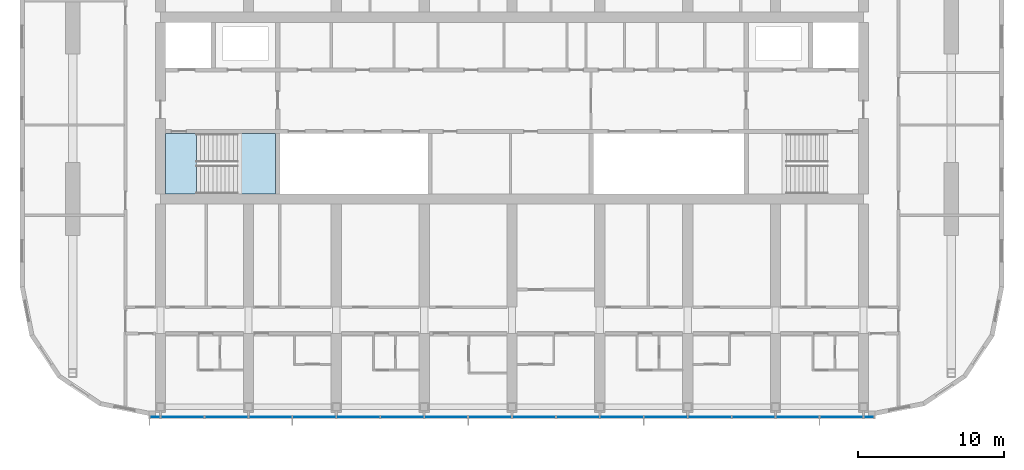
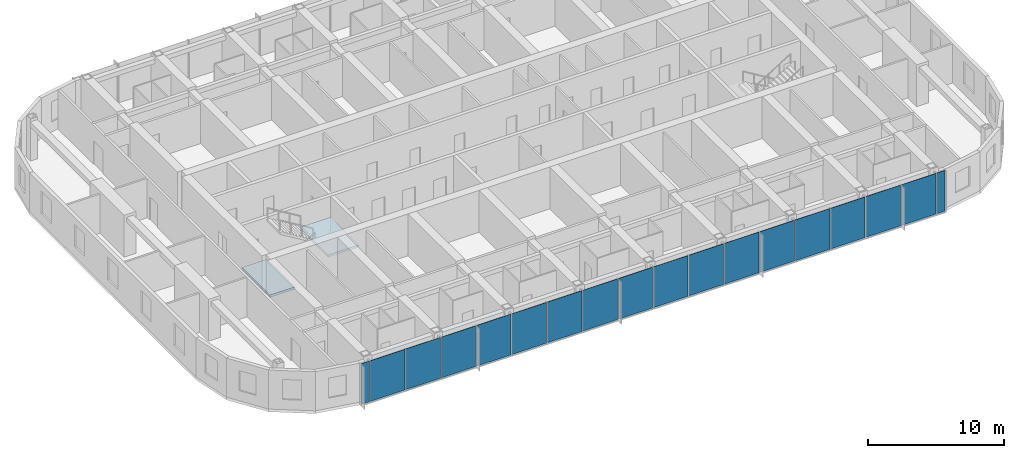
# One storey, part 7 of 23: 18 plates, 2 slabs, 2 elements without a shape of their own.
"""IFC4 building model written with IfcOpenShell, lengths in metres."""

from ifc_helpers import new_model, si_unit, direction, frame, origin, origin_2d, place, context, subcontext, project, spatial, polyline, rectangle, outline, extrude, material, layer, layer_set, type_object, element, aggregate, save


model = new_model("IFC4")

# Units and contexts
model_context = context("Model", 3, precision=1e-05, world=origin(), true_north=direction((0.0, 1.0)))
body_context = subcontext(model_context, "Body", "Model", "MODEL_VIEW")
ifc_project = project(units=[si_unit("LENGTHUNIT", "METRE"), si_unit("AREAUNIT", "SQUARE_METRE"), si_unit("VOLUMEUNIT", "CUBIC_METRE"), si_unit("PLANEANGLEUNIT", "RADIAN"), si_unit("MASSUNIT", "GRAM", prefix="KILO")], contexts=[model_context])

# Site, building, storey
site_placement = place(None, origin())
site = spatial("IfcSite", under=ifc_project, at=site_placement, CompositionType="ELEMENT")
building_placement = place(site_placement, origin())
building = spatial("IfcBuilding", under=site, at=building_placement, Name="Orbita Commons", CompositionType="ELEMENT")
storey_placement = place(building_placement, frame((0.0, 0.0, 224.050048828125)))
storey = spatial("IfcBuildingStorey", under=building, at=storey_placement, Name="L55", CompositionType="ELEMENT", Elevation=224.050048828125)

# Curtain wall, plates
ifc_material_1 = material(Name="Anodised aluminium frame, pale silver", Category="aluminium")
curtain_wall_type = type_object("IfcCurtainWallType", Name="Unitised curtain wall CW-U, full-height vision", PredefinedType="NOTDEFINED", material=ifc_material_1)
curtain_wall_placement = place(storey_placement, origin())
curtain_wall = element("IfcCurtainWall", 1, at=curtain_wall_placement, inside=storey, type_object=curtain_wall_type, Name="Curtain wall south L55", PredefinedType="NOTDEFINED")
ifc_material_2 = material(Name="Clear double glazing", Category="glass")
ifc_layer_1 = layer(ifc_material_2, 0.031982421875)
ifc_layer_set_1 = layer_set([ifc_layer_1], Name="Clear double glazing")
plate_type = type_object("IfcPlateType", Name="Full-height vision panel, clear glazing 32", PredefinedType="CURTAIN_PANEL", material=ifc_layer_set_1)
plate_1_placement = place(storey_placement, frame((17.6201171875, 10.889892578125, -0.14990234375), z_axis=(0.0, 0.0, 1.0), x_axis=(1.0, 0.0, 0.0)))
plate_1 = element("IfcPlate", 2, at=plate_1_placement, type_object=plate_type, Name="Panel 1.1 CW-L55-S", PredefinedType="CURTAIN_PANEL", context=body_context, shape_type="SweptSolid", body=[
    extrude(rectangle(XDim=0.679931640625, YDim=0.031982421875, at=origin_2d()), origin(), (0.0, 0.0, 1.0), 3.64990234375),
])
plate_2_placement = place(storey_placement, frame((19.5, 10.889892578125, -0.14990234375), z_axis=(0.0, 0.0, 1.0), x_axis=(1.0, 0.0, 0.0)))
plate_2 = element("IfcPlate", 3, at=plate_2_placement, type_object=plate_type, Name="Panel 2.1 CW-L55-S", PredefinedType="CURTAIN_PANEL", context=body_context, shape_type="SweptSolid", body=[
    extrude(rectangle(XDim=2.919921875, YDim=0.031982421875, at=origin_2d()), origin(), (0.0, 0.0, 1.0), 3.64990234375),
])
plate_3_placement = place(storey_placement, frame((22.5, 10.889892578125, -0.14990234375), z_axis=(0.0, 0.0, 1.0), x_axis=(1.0, 0.0, 0.0)))
plate_3 = element("IfcPlate", 4, at=plate_3_placement, type_object=plate_type, Name="Panel 3.1 CW-L55-S", PredefinedType="CURTAIN_PANEL", context=body_context, shape_type="SweptSolid", body=[
    extrude(rectangle(XDim=2.919921875, YDim=0.031982421875, at=origin_2d()), origin(), (0.0, 0.0, 1.0), 3.64990234375),
])
plate_4_placement = place(storey_placement, frame((25.5, 10.889892578125, -0.14990234375), z_axis=(0.0, 0.0, 1.0), x_axis=(1.0, 0.0, 0.0)))
plate_4 = element("IfcPlate", 5, at=plate_4_placement, type_object=plate_type, Name="Panel 4.1 CW-L55-S", PredefinedType="CURTAIN_PANEL", context=body_context, shape_type="SweptSolid", body=[
    extrude(rectangle(XDim=2.919921875, YDim=0.031982421875, at=origin_2d()), origin(), (0.0, 0.0, 1.0), 3.64990234375),
])
plate_5_placement = place(storey_placement, frame((28.5, 10.889892578125, -0.14990234375), z_axis=(0.0, 0.0, 1.0), x_axis=(1.0, 0.0, 0.0)))
plate_5 = element("IfcPlate", 6, at=plate_5_placement, type_object=plate_type, Name="Panel 5.1 CW-L55-S", PredefinedType="CURTAIN_PANEL", context=body_context, shape_type="SweptSolid", body=[
    extrude(rectangle(XDim=2.919921875, YDim=0.031982421875, at=origin_2d()), origin(), (0.0, 0.0, 1.0), 3.64990234375),
])
plate_6_placement = place(storey_placement, frame((31.5, 10.889892578125, -0.14990234375), z_axis=(0.0, 0.0, 1.0), x_axis=(1.0, 0.0, 0.0)))
plate_6 = element("IfcPlate", 7, at=plate_6_placement, type_object=plate_type, Name="Panel 6.1 CW-L55-S", PredefinedType="CURTAIN_PANEL", context=body_context, shape_type="SweptSolid", body=[
    extrude(rectangle(XDim=2.919921875, YDim=0.031982421875, at=origin_2d()), origin(), (0.0, 0.0, 1.0), 3.64990234375),
])
plate_7_placement = place(storey_placement, frame((34.5, 10.889892578125, -0.14990234375), z_axis=(0.0, 0.0, 1.0), x_axis=(1.0, 0.0, 0.0)))
plate_7 = element("IfcPlate", 8, at=plate_7_placement, type_object=plate_type, Name="Panel 7.1 CW-L55-S", PredefinedType="CURTAIN_PANEL", context=body_context, shape_type="SweptSolid", body=[
    extrude(rectangle(XDim=2.919921875, YDim=0.031982421875, at=origin_2d()), origin(), (0.0, 0.0, 1.0), 3.64990234375),
])
plate_8_placement = place(storey_placement, frame((37.5, 10.889892578125, -0.14990234375), z_axis=(0.0, 0.0, 1.0), x_axis=(1.0, 0.0, 0.0)))
plate_8 = element("IfcPlate", 9, at=plate_8_placement, type_object=plate_type, Name="Panel 8.1 CW-L55-S", PredefinedType="CURTAIN_PANEL", context=body_context, shape_type="SweptSolid", body=[
    extrude(rectangle(XDim=2.919921875, YDim=0.031982421875, at=origin_2d()), origin(), (0.0, 0.0, 1.0), 3.64990234375),
])
plate_9_placement = place(storey_placement, frame((40.5, 10.889892578125, -0.14990234375), z_axis=(0.0, 0.0, 1.0), x_axis=(1.0, 0.0, 0.0)))
plate_9 = element("IfcPlate", 10, at=plate_9_placement, type_object=plate_type, Name="Panel 9.1 CW-L55-S", PredefinedType="CURTAIN_PANEL", context=body_context, shape_type="SweptSolid", body=[
    extrude(rectangle(XDim=2.919921875, YDim=0.031982421875, at=origin_2d()), origin(), (0.0, 0.0, 1.0), 3.64990234375),
])
plate_10_placement = place(storey_placement, frame((43.5, 10.889892578125, -0.14990234375), z_axis=(0.0, 0.0, 1.0), x_axis=(1.0, 0.0, 0.0)))
plate_10 = element("IfcPlate", 11, at=plate_10_placement, type_object=plate_type, Name="Panel 10.1 CW-L55-S", PredefinedType="CURTAIN_PANEL", context=body_context, shape_type="SweptSolid", body=[
    extrude(rectangle(XDim=2.919921875, YDim=0.031982421875, at=origin_2d()), origin(), (0.0, 0.0, 1.0), 3.64990234375),
])
plate_11_placement = place(storey_placement, frame((46.5, 10.889892578125, -0.14990234375), z_axis=(0.0, 0.0, 1.0), x_axis=(1.0, 0.0, 0.0)))
plate_11 = element("IfcPlate", 12, at=plate_11_placement, type_object=plate_type, Name="Panel 11.1 CW-L55-S", PredefinedType="CURTAIN_PANEL", context=body_context, shape_type="SweptSolid", body=[
    extrude(rectangle(XDim=2.919921875, YDim=0.031982421875, at=origin_2d()), origin(), (0.0, 0.0, 1.0), 3.64990234375),
])
plate_12_placement = place(storey_placement, frame((49.5, 10.889892578125, -0.14990234375), z_axis=(0.0, 0.0, 1.0), x_axis=(1.0, 0.0, 0.0)))
plate_12 = element("IfcPlate", 13, at=plate_12_placement, type_object=plate_type, Name="Panel 12.1 CW-L55-S", PredefinedType="CURTAIN_PANEL", context=body_context, shape_type="SweptSolid", body=[
    extrude(rectangle(XDim=2.919921875, YDim=0.031982421875, at=origin_2d()), origin(), (0.0, 0.0, 1.0), 3.64990234375),
])
plate_13_placement = place(storey_placement, frame((52.5, 10.889892578125, -0.14990234375), z_axis=(0.0, 0.0, 1.0), x_axis=(1.0, 0.0, 0.0)))
plate_13 = element("IfcPlate", 14, at=plate_13_placement, type_object=plate_type, Name="Panel 13.1 CW-L55-S", PredefinedType="CURTAIN_PANEL", context=body_context, shape_type="SweptSolid", body=[
    extrude(rectangle(XDim=2.919921875, YDim=0.031982421875, at=origin_2d()), origin(), (0.0, 0.0, 1.0), 3.64990234375),
])
plate_14_placement = place(storey_placement, frame((55.5, 10.889892578125, -0.14990234375), z_axis=(0.0, 0.0, 1.0), x_axis=(1.0, 0.0, 0.0)))
plate_14 = element("IfcPlate", 15, at=plate_14_placement, type_object=plate_type, Name="Panel 14.1 CW-L55-S", PredefinedType="CURTAIN_PANEL", context=body_context, shape_type="SweptSolid", body=[
    extrude(rectangle(XDim=2.919921875, YDim=0.031982421875, at=origin_2d()), origin(), (0.0, 0.0, 1.0), 3.64990234375),
])
plate_15_placement = place(storey_placement, frame((58.5, 10.889892578125, -0.14990234375), z_axis=(0.0, 0.0, 1.0), x_axis=(1.0, 0.0, 0.0)))
plate_15 = element("IfcPlate", 16, at=plate_15_placement, type_object=plate_type, Name="Panel 15.1 CW-L55-S", PredefinedType="CURTAIN_PANEL", context=body_context, shape_type="SweptSolid", body=[
    extrude(rectangle(XDim=2.919921875, YDim=0.031982421875, at=origin_2d()), origin(), (0.0, 0.0, 1.0), 3.64990234375),
])
plate_16_placement = place(storey_placement, frame((61.5, 10.889892578125, -0.14990234375), z_axis=(0.0, 0.0, 1.0), x_axis=(1.0, 0.0, 0.0)))
plate_16 = element("IfcPlate", 17, at=plate_16_placement, type_object=plate_type, Name="Panel 16.1 CW-L55-S", PredefinedType="CURTAIN_PANEL", context=body_context, shape_type="SweptSolid", body=[
    extrude(rectangle(XDim=2.919921875, YDim=0.031982421875, at=origin_2d()), origin(), (0.0, 0.0, 1.0), 3.64990234375),
])
plate_17_placement = place(storey_placement, frame((64.5, 10.889892578125, -0.14990234375), z_axis=(0.0, 0.0, 1.0), x_axis=(1.0, 0.0, 0.0)))
plate_17 = element("IfcPlate", 18, at=plate_17_placement, type_object=plate_type, Name="Panel 17.1 CW-L55-S", PredefinedType="CURTAIN_PANEL", context=body_context, shape_type="SweptSolid", body=[
    extrude(rectangle(XDim=2.919921875, YDim=0.031982421875, at=origin_2d()), origin(), (0.0, 0.0, 1.0), 3.64990234375),
])
plate_18_placement = place(storey_placement, frame((66.3798828125, 10.889892578125, -0.14990234375), z_axis=(0.0, 0.0, 1.0), x_axis=(1.0, 0.0, 0.0)))
plate_18 = element("IfcPlate", 19, at=plate_18_placement, type_object=plate_type, Name="Panel 18.1 CW-L55-S", PredefinedType="CURTAIN_PANEL", context=body_context, shape_type="SweptSolid", body=[
    extrude(rectangle(XDim=0.679931640625, YDim=0.031982421875, at=origin_2d()), origin(), (0.0, 0.0, 1.0), 3.64990234375),
])
aggregate(curtain_wall, [plate_1, plate_2, plate_3, plate_4, plate_5, plate_6, plate_7, plate_8, plate_9, plate_10, plate_11, plate_12, plate_13, plate_14, plate_15, plate_16, plate_17, plate_18])

# Stair, slabs
ifc_material_3 = material(Name="Precast concrete C40/50", Category="concrete")
stair_type = type_object("IfcStairType", Name="Exit stair S1 2 flights 11 risers 170", PredefinedType="HALF_TURN_STAIR", material=ifc_material_3)
stair_placement = place(storey_placement, origin())
stair = element("IfcStair", 20, at=stair_placement, inside=storey, type_object=stair_type, Name="Exit stair S1 L55", PredefinedType="HALF_TURN_STAIR")
ifc_material_4 = material(Name="Concrete C40/50", Category="concrete")
ifc_layer_2 = layer(ifc_material_4, 0.199951171875)
ifc_layer_set_2 = layer_set([ifc_layer_2], Name="Concrete C40/50")
slab_type = type_object("IfcSlabType", Name="Stair landing 200", PredefinedType="LANDING", material=ifc_layer_set_2)
slab_1_placement = place(storey_placement, frame((0.0, 0.0, -0.199951171875)))
slab_1 = element("IfcSlab", 21, at=slab_1_placement, type_object=slab_type, Name="S1 landing 1", PredefinedType="LANDING", context=body_context, shape_type="SweptSolid", body=[
    extrude(outline(polyline([(18.35009765625, 26.14990234375), (20.449951171875, 26.14990234375), (20.449951171875, 30.25), (18.35009765625, 30.25), (18.35009765625, 26.14990234375)])), origin(), (0.0, 0.0, 1.0), 0.199951171875),
])
slab_2_placement = place(storey_placement, frame((0.0, 0.0, 1.675048828125)))
slab_2 = element("IfcSlab", 22, at=slab_2_placement, type_object=slab_type, Name="S1 landing 2", PredefinedType="LANDING", context=body_context, shape_type="SweptSolid", body=[
    extrude(outline(polyline([(23.25, 26.135009765625), (25.864990234375, 26.135009765625), (25.864990234375, 30.264892578125), (23.25, 30.264892578125), (23.25, 26.135009765625)])), origin(), (0.0, 0.0, 1.0), 0.199951171875),
])
aggregate(stair, [slab_1, slab_2])

save(model, "model.ifc")
